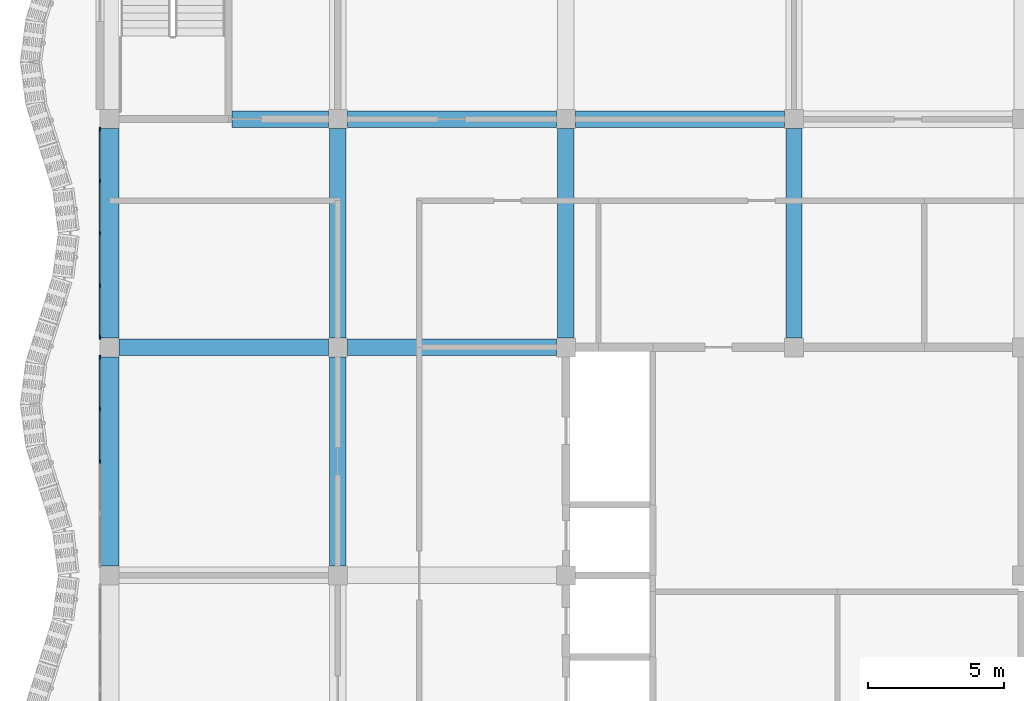
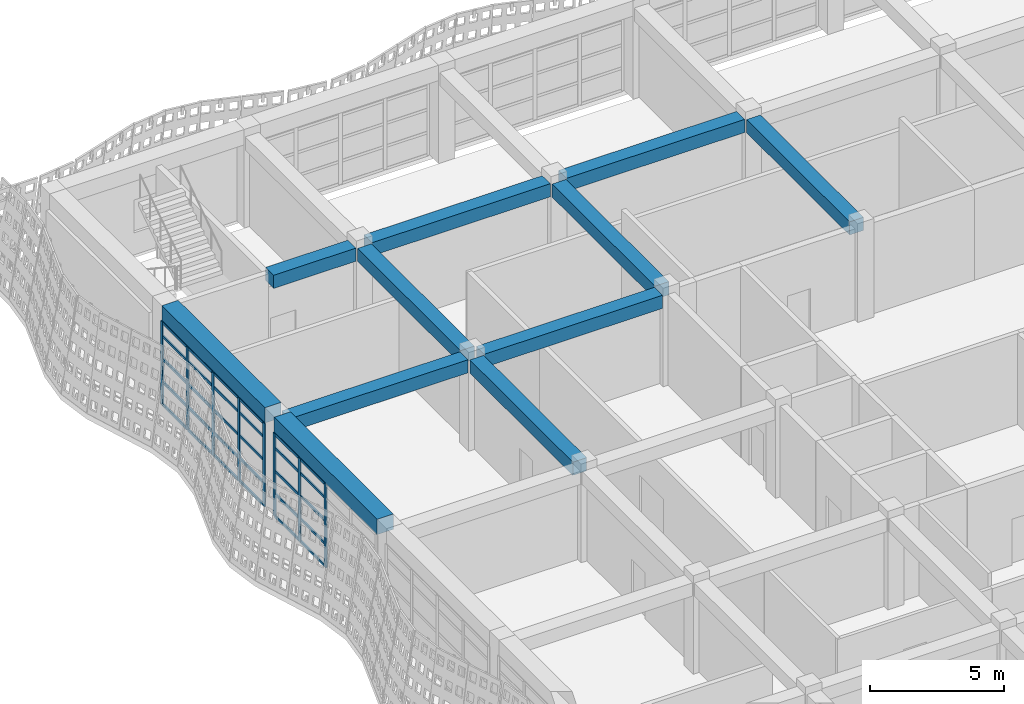
# One storey, part 21 of 162: 38 members, 11 beams, 2 elements without a shape of their own.
"""IFC4 building model written with IfcOpenShell, lengths in metres."""

from ifc_helpers import new_model, si_unit, direction, frame, origin, origin_2d, place, context, subcontext, project, spatial, rectangle, extrude, material, material_profile, profile_set, type_object, element, aggregate, save


model = new_model("IFC4")

# Units and contexts
model_context = context("Model", 3, precision=1e-05, world=origin(), true_north=direction((0.0, 1.0)))
body_context = subcontext(model_context, "Body", "Model", "MODEL_VIEW")
ifc_project = project(units=[si_unit("LENGTHUNIT", "METRE"), si_unit("AREAUNIT", "SQUARE_METRE"), si_unit("VOLUMEUNIT", "CUBIC_METRE"), si_unit("PLANEANGLEUNIT", "RADIAN"), si_unit("MASSUNIT", "GRAM", prefix="KILO")], contexts=[model_context])

# Site, building, storey
site_placement = place(None, origin())
site = spatial("IfcSite", under=ifc_project, at=site_placement, CompositionType="ELEMENT")
building_placement = place(site_placement, origin())
building = spatial("IfcBuilding", under=site, at=building_placement, Name="Rain Tree Exposition and Congress Centre", CompositionType="ELEMENT")
storey_placement = place(building_placement, frame((0.0, 0.0, 6.0)))
storey = spatial("IfcBuildingStorey", under=building, at=storey_placement, Name="L01", CompositionType="ELEMENT", Elevation=6.0)

# Beams
ifc_material_1 = material(Name="Precast concrete C50/60", Category="concrete")
ifc_material_profile_1 = material_profile(ifc_material_1, rectangle(XDim=0.60009765625, YDim=0.60009765625, at=origin_2d()), Name="RC 600x600")
ifc_profile_set_1 = profile_set([ifc_material_profile_1], Name="Precast concrete C50/60")
beam_type_1 = type_object("IfcBeamType", Name="Precast beam 600x600", PredefinedType="BEAM", material=ifc_profile_set_1)
for number, where, z_axis, x_axis, name in (
    (1, (8.39990234375, 25.550048828125, 3.85009765625), (0.0, 1.0, 0.0), (-1.0, 0.0, 0.0), "wing/beam/L01/L02/020"),
    (2, (8.39990234375, 33.949951171875, 3.85009765625), (0.0, 1.0, 0.0), (-1.0, 0.0, 0.0), "wing/beam/L01/L02/022"),
    (3, (16.800048828125, 33.949951171875, 3.85009765625), (0.0, 1.0, 0.0), (-1.0, 0.0, 0.0), "wing/beam/L01/L02/030"),
    (4, (25.199951171875, 33.949951171875, 3.85009765625), (0.0, 1.0, 0.0), (-1.0, 0.0, 0.0), "wing/beam/L01/L02/038"),
    (5, (0.35009765625, 33.60009765625, 3.85009765625), (1.0, 0.0, 0.0), (0.0, 1.0, 0.0), "wing/beam/L01/L02/041"),
    (6, (8.75, 33.60009765625, 3.85009765625), (1.0, 0.0, 0.0), (0.0, 1.0, 0.0), "wing/beam/L01/L02/043"),
):
    element("IfcBeam", number, at=place(storey_placement, frame(where, z_axis=z_axis, x_axis=x_axis)), inside=storey, type_object=beam_type_1, Name=name, PredefinedType="BEAM", context=body_context, shape_type="SweptSolid", body=[
        extrude(rectangle(XDim=0.60009765625, YDim=0.60009765625, at=origin_2d()), origin(), (0.0, 0.0, 1.0), 7.699951171875),
    ])
beam_1_placement = place(storey_placement, frame((4.5, 42.0, 3.85009765625), z_axis=(1.0, 0.0, 0.0), x_axis=(0.0, 1.0, 0.0)))
element("IfcBeam", 7, at=beam_1_placement, inside=storey, type_object=beam_type_1, Name="wing/beam/L01/L02/049", PredefinedType="BEAM", context=body_context, shape_type="SweptSolid", body=[
    extrude(rectangle(XDim=0.60009765625, YDim=0.60009765625, at=origin_2d()), origin(), (0.0, 0.0, 1.0), 3.550048828125),
])
beam_2_placement = place(storey_placement, frame((8.75, 42.0, 3.85009765625), z_axis=(1.0, 0.0, 0.0), x_axis=(0.0, 1.0, 0.0)))
element("IfcBeam", 8, at=beam_2_placement, inside=storey, type_object=beam_type_1, Name="wing/beam/L01/L02/051", PredefinedType="BEAM", context=body_context, shape_type="SweptSolid", body=[
    extrude(rectangle(XDim=0.60009765625, YDim=0.60009765625, at=origin_2d()), origin(), (0.0, 0.0, 1.0), 7.699951171875),
])
beam_3_placement = place(storey_placement, frame((17.14990234375, 42.0, 3.85009765625), z_axis=(1.0, 0.0, 0.0), x_axis=(0.0, 1.0, 0.0)))
element("IfcBeam", 9, at=beam_3_placement, inside=storey, type_object=beam_type_1, Name="wing/beam/L01/L02/053", PredefinedType="BEAM", context=body_context, shape_type="SweptSolid", body=[
    extrude(rectangle(XDim=0.60009765625, YDim=0.60009765625, at=origin_2d()), origin(), (0.0, 0.0, 1.0), 7.7001953125),
])
ifc_material_2 = material(Name="Precast concrete C50/60", Category="concrete")
ifc_material_profile_2 = material_profile(ifc_material_2, rectangle(XDim=0.699951171875, YDim=0.699951171875, at=origin_2d()), Name="RC 700x700")
ifc_profile_set_2 = profile_set([ifc_material_profile_2], Name="Precast concrete C50/60")
beam_type_2 = type_object("IfcBeamType", Name="Precast spandrel beam 700x700", PredefinedType="SPANDREL", material=ifc_profile_set_2)
for number, where, z_axis, x_axis, name in (
    (10, (0.0, 25.550048828125, 4.14990234375), (0.0, 1.0, 0.0), (-1.0, 0.0, 0.0), "wing/beam/L01/L02/008"),
    (11, (0.0, 33.949951171875, 4.14990234375), (0.0, 1.0, 0.0), (-1.0, 0.0, 0.0), "wing/beam/L01/L02/010"),
):
    element("IfcBeam", number, at=place(storey_placement, frame(where, z_axis=z_axis, x_axis=x_axis)), inside=storey, type_object=beam_type_2, Name=name, PredefinedType="SPANDREL", context=body_context, shape_type="SweptSolid", body=[
        extrude(rectangle(XDim=0.699951171875, YDim=0.699951171875, at=origin_2d()), origin(), (0.0, 0.0, 1.0), 7.699951171875),
    ])

# Curtain wall, members
ifc_material_3 = material(Name="Aluminium curtain wall", Category="aluminium")
curtain_wall_type = type_object("IfcCurtainWallType", Name="Wing curtain wall 1925", PredefinedType="NOTDEFINED", material=ifc_material_3)
curtain_wall_1_placement = place(storey_placement, origin())
curtain_wall_1 = element("IfcCurtainWall", 12, at=curtain_wall_1_placement, inside=storey, type_object=curtain_wall_type, Name="Curtain wall CWW210", PredefinedType="NOTDEFINED")
ifc_material_4 = material(Name="Aluminium", Category="aluminium")
ifc_material_profile_3 = material_profile(ifc_material_4, rectangle(XDim=0.06005859375, YDim=0.159912109375, at=origin_2d()), Name="Aluminium 60x160")
ifc_profile_set_3 = profile_set([ifc_material_profile_3], Name="Aluminium")
member_type_1 = type_object("IfcMemberType", Name="Wing mullion 60x160", PredefinedType="MULLION", material=ifc_profile_set_3)
member_1_placement = place(storey_placement, frame((-0.35009765625, 29.39990234375, 0.0), z_axis=(0.0, 0.0, 1.0), x_axis=(-1.0, 0.0, 0.0)))
member_1 = element("IfcMember", 13, at=member_1_placement, type_object=member_type_1, Name="CWW210 mullion 3", PredefinedType="MULLION", context=body_context, shape_type="SweptSolid", body=[
    extrude(rectangle(XDim=0.06005859375, YDim=0.159912109375, at=origin_2d()), origin(), (0.0, 0.0, 1.0), 3.800048828125),
])
member_2_placement = place(storey_placement, frame((-0.35009765625, 31.324951171875, 0.0), z_axis=(0.0, 0.0, 1.0), x_axis=(-1.0, 0.0, 0.0)))
member_2 = element("IfcMember", 14, at=member_2_placement, type_object=member_type_1, Name="CWW210 mullion 4", PredefinedType="MULLION", context=body_context, shape_type="SweptSolid", body=[
    extrude(rectangle(XDim=0.06005859375, YDim=0.159912109375, at=origin_2d()), origin(), (0.0, 0.0, 1.0), 3.800048828125),
])
member_3_placement = place(storey_placement, frame((-0.35009765625, 33.219970703125, 0.0), z_axis=(0.0, 0.0, 1.0), x_axis=(-1.0, 0.0, 0.0)))
member_3 = element("IfcMember", 15, at=member_3_placement, type_object=member_type_1, Name="CWW210 mullion 5", PredefinedType="MULLION", context=body_context, shape_type="SweptSolid", body=[
    extrude(rectangle(XDim=0.06005859375, YDim=0.159912109375, at=origin_2d()), origin(), (0.0, 0.0, 1.0), 3.800048828125),
])

curtain_wall_2_placement = place(storey_placement, origin())
curtain_wall_2 = element("IfcCurtainWall", 16, at=curtain_wall_2_placement, inside=storey, type_object=curtain_wall_type, Name="Curtain wall CWW211", PredefinedType="NOTDEFINED")
member_4_placement = place(storey_placement, frame((-0.35009765625, 33.97998046875, 0.0), z_axis=(0.0, 0.0, 1.0), x_axis=(-1.0, 0.0, 0.0)))
member_4 = element("IfcMember", 17, at=member_4_placement, type_object=member_type_1, Name="CWW211 mullion 1", PredefinedType="MULLION", context=body_context, shape_type="SweptSolid", body=[
    extrude(rectangle(XDim=0.06005859375, YDim=0.159912109375, at=origin_2d()), origin(), (0.0, 0.0, 1.0), 3.800048828125),
])
member_5_placement = place(storey_placement, frame((-0.35009765625, 35.875, 0.0), z_axis=(0.0, 0.0, 1.0), x_axis=(-1.0, 0.0, 0.0)))
member_5 = element("IfcMember", 18, at=member_5_placement, type_object=member_type_1, Name="CWW211 mullion 2", PredefinedType="MULLION", context=body_context, shape_type="SweptSolid", body=[
    extrude(rectangle(XDim=0.06005859375, YDim=0.159912109375, at=origin_2d()), origin(), (0.0, 0.0, 1.0), 3.800048828125),
])
member_6_placement = place(storey_placement, frame((-0.35009765625, 37.800048828125, 0.0), z_axis=(0.0, 0.0, 1.0), x_axis=(-1.0, 0.0, 0.0)))
member_6 = element("IfcMember", 19, at=member_6_placement, type_object=member_type_1, Name="CWW211 mullion 3", PredefinedType="MULLION", context=body_context, shape_type="SweptSolid", body=[
    extrude(rectangle(XDim=0.06005859375, YDim=0.159912109375, at=origin_2d()), origin(), (0.0, 0.0, 1.0), 3.800048828125),
])
member_7_placement = place(storey_placement, frame((-0.35009765625, 39.72509765625, 0.0), z_axis=(0.0, 0.0, 1.0), x_axis=(-1.0, 0.0, 0.0)))
member_7 = element("IfcMember", 20, at=member_7_placement, type_object=member_type_1, Name="CWW211 mullion 4", PredefinedType="MULLION", context=body_context, shape_type="SweptSolid", body=[
    extrude(rectangle(XDim=0.06005859375, YDim=0.159912109375, at=origin_2d()), origin(), (0.0, 0.0, 1.0), 3.800048828125),
])
member_8_placement = place(storey_placement, frame((-0.35009765625, 41.6201171875, 0.0), z_axis=(0.0, 0.0, 1.0), x_axis=(-1.0, 0.0, 0.0)))
member_8 = element("IfcMember", 21, at=member_8_placement, type_object=member_type_1, Name="CWW211 mullion 5", PredefinedType="MULLION", context=body_context, shape_type="SweptSolid", body=[
    extrude(rectangle(XDim=0.06005859375, YDim=0.159912109375, at=origin_2d()), origin(), (0.0, 0.0, 1.0), 3.800048828125),
])

# Member
ifc_material_5 = material(Name="Aluminium", Category="aluminium")
ifc_material_profile_4 = material_profile(ifc_material_5, rectangle(XDim=0.06005859375, YDim=0.1201171875, at=origin_2d()), Name="Aluminium 60x120")
ifc_profile_set_4 = profile_set([ifc_material_profile_4], Name="Aluminium")
member_type_2 = type_object("IfcMemberType", Name="Wing transom 60x120", PredefinedType="USERDEFINED", material=ifc_profile_set_4)
member_9_placement = place(storey_placement, frame((-0.35009765625, 29.429931640625, 0.030029296875), z_axis=(0.0, 1.0, 0.0), x_axis=(-1.0, 0.0, 0.0)))
member_9 = element("IfcMember", 22, at=member_9_placement, type_object=member_type_2, Name="CWW210 transom 3.1", ObjectType="TRANSOM", PredefinedType="USERDEFINED", context=body_context, shape_type="SweptSolid", body=[
    extrude(rectangle(XDim=0.06005859375, YDim=0.1201171875, at=origin_2d()), origin(), (0.0, 0.0, 1.0), 1.864990234375),
])

member_10_placement = place(storey_placement, frame((-0.35009765625, 29.429931640625, 1.050048828125), z_axis=(0.0, 1.0, 0.0), x_axis=(-1.0, 0.0, 0.0)))
member_10 = element("IfcMember", 23, at=member_10_placement, type_object=member_type_2, Name="CWW210 transom 3.2", ObjectType="TRANSOM", PredefinedType="USERDEFINED", context=body_context, shape_type="SweptSolid", body=[
    extrude(rectangle(XDim=0.06005859375, YDim=0.1201171875, at=origin_2d()), origin(), (0.0, 0.0, 1.0), 1.864990234375),
])

member_11_placement = place(storey_placement, frame((-0.35009765625, 29.429931640625, 2.10009765625), z_axis=(0.0, 1.0, 0.0), x_axis=(-1.0, 0.0, 0.0)))
member_11 = element("IfcMember", 24, at=member_11_placement, type_object=member_type_2, Name="CWW210 transom 3.3", ObjectType="TRANSOM", PredefinedType="USERDEFINED", context=body_context, shape_type="SweptSolid", body=[
    extrude(rectangle(XDim=0.06005859375, YDim=0.1201171875, at=origin_2d()), origin(), (0.0, 0.0, 1.0), 1.864990234375),
])

member_12_placement = place(storey_placement, frame((-0.35009765625, 29.429931640625, 3.14990234375), z_axis=(0.0, 1.0, 0.0), x_axis=(-1.0, 0.0, 0.0)))
member_12 = element("IfcMember", 25, at=member_12_placement, type_object=member_type_2, Name="CWW210 transom 3.4", ObjectType="TRANSOM", PredefinedType="USERDEFINED", context=body_context, shape_type="SweptSolid", body=[
    extrude(rectangle(XDim=0.06005859375, YDim=0.1201171875, at=origin_2d()), origin(), (0.0, 0.0, 1.0), 1.864990234375),
])

member_13_placement = place(storey_placement, frame((-0.35009765625, 29.429931640625, 3.77001953125), z_axis=(0.0, 1.0, 0.0), x_axis=(-1.0, 0.0, 0.0)))
member_13 = element("IfcMember", 26, at=member_13_placement, type_object=member_type_2, Name="CWW210 transom 3.5", ObjectType="TRANSOM", PredefinedType="USERDEFINED", context=body_context, shape_type="SweptSolid", body=[
    extrude(rectangle(XDim=0.06005859375, YDim=0.1201171875, at=origin_2d()), origin(), (0.0, 0.0, 1.0), 1.864990234375),
])

member_14_placement = place(storey_placement, frame((-0.35009765625, 31.35498046875, 0.030029296875), z_axis=(0.0, 1.0, 0.0), x_axis=(-1.0, 0.0, 0.0)))
member_14 = element("IfcMember", 27, at=member_14_placement, type_object=member_type_2, Name="CWW210 transom 4.1", ObjectType="TRANSOM", PredefinedType="USERDEFINED", context=body_context, shape_type="SweptSolid", body=[
    extrude(rectangle(XDim=0.06005859375, YDim=0.1201171875, at=origin_2d()), origin(), (0.0, 0.0, 1.0), 1.8349609375),
])

member_15_placement = place(storey_placement, frame((-0.35009765625, 31.35498046875, 1.050048828125), z_axis=(0.0, 1.0, 0.0), x_axis=(-1.0, 0.0, 0.0)))
member_15 = element("IfcMember", 28, at=member_15_placement, type_object=member_type_2, Name="CWW210 transom 4.2", ObjectType="TRANSOM", PredefinedType="USERDEFINED", context=body_context, shape_type="SweptSolid", body=[
    extrude(rectangle(XDim=0.06005859375, YDim=0.1201171875, at=origin_2d()), origin(), (0.0, 0.0, 1.0), 1.8349609375),
])

member_16_placement = place(storey_placement, frame((-0.35009765625, 31.35498046875, 2.10009765625), z_axis=(0.0, 1.0, 0.0), x_axis=(-1.0, 0.0, 0.0)))
member_16 = element("IfcMember", 29, at=member_16_placement, type_object=member_type_2, Name="CWW210 transom 4.3", ObjectType="TRANSOM", PredefinedType="USERDEFINED", context=body_context, shape_type="SweptSolid", body=[
    extrude(rectangle(XDim=0.06005859375, YDim=0.1201171875, at=origin_2d()), origin(), (0.0, 0.0, 1.0), 1.8349609375),
])

member_17_placement = place(storey_placement, frame((-0.35009765625, 31.35498046875, 3.14990234375), z_axis=(0.0, 1.0, 0.0), x_axis=(-1.0, 0.0, 0.0)))
member_17 = element("IfcMember", 30, at=member_17_placement, type_object=member_type_2, Name="CWW210 transom 4.4", ObjectType="TRANSOM", PredefinedType="USERDEFINED", context=body_context, shape_type="SweptSolid", body=[
    extrude(rectangle(XDim=0.06005859375, YDim=0.1201171875, at=origin_2d()), origin(), (0.0, 0.0, 1.0), 1.8349609375),
])

member_18_placement = place(storey_placement, frame((-0.35009765625, 31.35498046875, 3.77001953125), z_axis=(0.0, 1.0, 0.0), x_axis=(-1.0, 0.0, 0.0)))
member_18 = element("IfcMember", 31, at=member_18_placement, type_object=member_type_2, Name="CWW210 transom 4.5", ObjectType="TRANSOM", PredefinedType="USERDEFINED", context=body_context, shape_type="SweptSolid", body=[
    extrude(rectangle(XDim=0.06005859375, YDim=0.1201171875, at=origin_2d()), origin(), (0.0, 0.0, 1.0), 1.8349609375),
])

aggregate(curtain_wall_1, [member_1, member_2, member_3, member_9, member_10, member_11, member_12, member_13, member_14, member_15, member_16, member_17, member_18])

member_19_placement = place(storey_placement, frame((-0.35009765625, 34.010009765625, 0.030029296875), z_axis=(0.0, 1.0, 0.0), x_axis=(-1.0, 0.0, 0.0)))
member_19 = element("IfcMember", 32, at=member_19_placement, type_object=member_type_2, Name="CWW211 transom 1.1", ObjectType="TRANSOM", PredefinedType="USERDEFINED", context=body_context, shape_type="SweptSolid", body=[
    extrude(rectangle(XDim=0.06005859375, YDim=0.1201171875, at=origin_2d()), origin(), (0.0, 0.0, 1.0), 1.8349609375),
])

member_20_placement = place(storey_placement, frame((-0.35009765625, 34.010009765625, 1.050048828125), z_axis=(0.0, 1.0, 0.0), x_axis=(-1.0, 0.0, 0.0)))
member_20 = element("IfcMember", 33, at=member_20_placement, type_object=member_type_2, Name="CWW211 transom 1.2", ObjectType="TRANSOM", PredefinedType="USERDEFINED", context=body_context, shape_type="SweptSolid", body=[
    extrude(rectangle(XDim=0.06005859375, YDim=0.1201171875, at=origin_2d()), origin(), (0.0, 0.0, 1.0), 1.8349609375),
])

member_21_placement = place(storey_placement, frame((-0.35009765625, 34.010009765625, 2.10009765625), z_axis=(0.0, 1.0, 0.0), x_axis=(-1.0, 0.0, 0.0)))
member_21 = element("IfcMember", 34, at=member_21_placement, type_object=member_type_2, Name="CWW211 transom 1.3", ObjectType="TRANSOM", PredefinedType="USERDEFINED", context=body_context, shape_type="SweptSolid", body=[
    extrude(rectangle(XDim=0.06005859375, YDim=0.1201171875, at=origin_2d()), origin(), (0.0, 0.0, 1.0), 1.8349609375),
])

member_22_placement = place(storey_placement, frame((-0.35009765625, 34.010009765625, 3.14990234375), z_axis=(0.0, 1.0, 0.0), x_axis=(-1.0, 0.0, 0.0)))
member_22 = element("IfcMember", 35, at=member_22_placement, type_object=member_type_2, Name="CWW211 transom 1.4", ObjectType="TRANSOM", PredefinedType="USERDEFINED", context=body_context, shape_type="SweptSolid", body=[
    extrude(rectangle(XDim=0.06005859375, YDim=0.1201171875, at=origin_2d()), origin(), (0.0, 0.0, 1.0), 1.8349609375),
])

member_23_placement = place(storey_placement, frame((-0.35009765625, 34.010009765625, 3.77001953125), z_axis=(0.0, 1.0, 0.0), x_axis=(-1.0, 0.0, 0.0)))
member_23 = element("IfcMember", 36, at=member_23_placement, type_object=member_type_2, Name="CWW211 transom 1.5", ObjectType="TRANSOM", PredefinedType="USERDEFINED", context=body_context, shape_type="SweptSolid", body=[
    extrude(rectangle(XDim=0.06005859375, YDim=0.1201171875, at=origin_2d()), origin(), (0.0, 0.0, 1.0), 1.8349609375),
])

member_24_placement = place(storey_placement, frame((-0.35009765625, 35.905029296875, 0.030029296875), z_axis=(0.0, 1.0, 0.0), x_axis=(-1.0, 0.0, 0.0)))
member_24 = element("IfcMember", 37, at=member_24_placement, type_object=member_type_2, Name="CWW211 transom 2.1", ObjectType="TRANSOM", PredefinedType="USERDEFINED", context=body_context, shape_type="SweptSolid", body=[
    extrude(rectangle(XDim=0.06005859375, YDim=0.1201171875, at=origin_2d()), origin(), (0.0, 0.0, 1.0), 1.864990234375),
])

member_25_placement = place(storey_placement, frame((-0.35009765625, 35.905029296875, 1.050048828125), z_axis=(0.0, 1.0, 0.0), x_axis=(-1.0, 0.0, 0.0)))
member_25 = element("IfcMember", 38, at=member_25_placement, type_object=member_type_2, Name="CWW211 transom 2.2", ObjectType="TRANSOM", PredefinedType="USERDEFINED", context=body_context, shape_type="SweptSolid", body=[
    extrude(rectangle(XDim=0.06005859375, YDim=0.1201171875, at=origin_2d()), origin(), (0.0, 0.0, 1.0), 1.864990234375),
])

member_26_placement = place(storey_placement, frame((-0.35009765625, 35.905029296875, 2.10009765625), z_axis=(0.0, 1.0, 0.0), x_axis=(-1.0, 0.0, 0.0)))
member_26 = element("IfcMember", 39, at=member_26_placement, type_object=member_type_2, Name="CWW211 transom 2.3", ObjectType="TRANSOM", PredefinedType="USERDEFINED", context=body_context, shape_type="SweptSolid", body=[
    extrude(rectangle(XDim=0.06005859375, YDim=0.1201171875, at=origin_2d()), origin(), (0.0, 0.0, 1.0), 1.864990234375),
])

member_27_placement = place(storey_placement, frame((-0.35009765625, 35.905029296875, 3.14990234375), z_axis=(0.0, 1.0, 0.0), x_axis=(-1.0, 0.0, 0.0)))
member_27 = element("IfcMember", 40, at=member_27_placement, type_object=member_type_2, Name="CWW211 transom 2.4", ObjectType="TRANSOM", PredefinedType="USERDEFINED", context=body_context, shape_type="SweptSolid", body=[
    extrude(rectangle(XDim=0.06005859375, YDim=0.1201171875, at=origin_2d()), origin(), (0.0, 0.0, 1.0), 1.864990234375),
])

member_28_placement = place(storey_placement, frame((-0.35009765625, 35.905029296875, 3.77001953125), z_axis=(0.0, 1.0, 0.0), x_axis=(-1.0, 0.0, 0.0)))
member_28 = element("IfcMember", 41, at=member_28_placement, type_object=member_type_2, Name="CWW211 transom 2.5", ObjectType="TRANSOM", PredefinedType="USERDEFINED", context=body_context, shape_type="SweptSolid", body=[
    extrude(rectangle(XDim=0.06005859375, YDim=0.1201171875, at=origin_2d()), origin(), (0.0, 0.0, 1.0), 1.864990234375),
])

member_29_placement = place(storey_placement, frame((-0.35009765625, 37.830078125, 0.030029296875), z_axis=(0.0, 1.0, 0.0), x_axis=(-1.0, 0.0, 0.0)))
member_29 = element("IfcMember", 42, at=member_29_placement, type_object=member_type_2, Name="CWW211 transom 3.1", ObjectType="TRANSOM", PredefinedType="USERDEFINED", context=body_context, shape_type="SweptSolid", body=[
    extrude(rectangle(XDim=0.06005859375, YDim=0.1201171875, at=origin_2d()), origin(), (0.0, 0.0, 1.0), 1.864990234375),
])

member_30_placement = place(storey_placement, frame((-0.35009765625, 37.830078125, 1.050048828125), z_axis=(0.0, 1.0, 0.0), x_axis=(-1.0, 0.0, 0.0)))
member_30 = element("IfcMember", 43, at=member_30_placement, type_object=member_type_2, Name="CWW211 transom 3.2", ObjectType="TRANSOM", PredefinedType="USERDEFINED", context=body_context, shape_type="SweptSolid", body=[
    extrude(rectangle(XDim=0.06005859375, YDim=0.1201171875, at=origin_2d()), origin(), (0.0, 0.0, 1.0), 1.864990234375),
])

member_31_placement = place(storey_placement, frame((-0.35009765625, 37.830078125, 2.10009765625), z_axis=(0.0, 1.0, 0.0), x_axis=(-1.0, 0.0, 0.0)))
member_31 = element("IfcMember", 44, at=member_31_placement, type_object=member_type_2, Name="CWW211 transom 3.3", ObjectType="TRANSOM", PredefinedType="USERDEFINED", context=body_context, shape_type="SweptSolid", body=[
    extrude(rectangle(XDim=0.06005859375, YDim=0.1201171875, at=origin_2d()), origin(), (0.0, 0.0, 1.0), 1.864990234375),
])

member_32_placement = place(storey_placement, frame((-0.35009765625, 37.830078125, 3.14990234375), z_axis=(0.0, 1.0, 0.0), x_axis=(-1.0, 0.0, 0.0)))
member_32 = element("IfcMember", 45, at=member_32_placement, type_object=member_type_2, Name="CWW211 transom 3.4", ObjectType="TRANSOM", PredefinedType="USERDEFINED", context=body_context, shape_type="SweptSolid", body=[
    extrude(rectangle(XDim=0.06005859375, YDim=0.1201171875, at=origin_2d()), origin(), (0.0, 0.0, 1.0), 1.864990234375),
])

member_33_placement = place(storey_placement, frame((-0.35009765625, 37.830078125, 3.77001953125), z_axis=(0.0, 1.0, 0.0), x_axis=(-1.0, 0.0, 0.0)))
member_33 = element("IfcMember", 46, at=member_33_placement, type_object=member_type_2, Name="CWW211 transom 3.5", ObjectType="TRANSOM", PredefinedType="USERDEFINED", context=body_context, shape_type="SweptSolid", body=[
    extrude(rectangle(XDim=0.06005859375, YDim=0.1201171875, at=origin_2d()), origin(), (0.0, 0.0, 1.0), 1.864990234375),
])

member_34_placement = place(storey_placement, frame((-0.35009765625, 39.7548828125, 0.030029296875), z_axis=(0.0, 1.0, 0.0), x_axis=(-1.0, 0.0, 0.0)))
member_34 = element("IfcMember", 47, at=member_34_placement, type_object=member_type_2, Name="CWW211 transom 4.1", ObjectType="TRANSOM", PredefinedType="USERDEFINED", context=body_context, shape_type="SweptSolid", body=[
    extrude(rectangle(XDim=0.06005859375, YDim=0.1201171875, at=origin_2d()), origin(), (0.0, 0.0, 1.0), 1.835205078125),
])

member_35_placement = place(storey_placement, frame((-0.35009765625, 39.7548828125, 1.050048828125), z_axis=(0.0, 1.0, 0.0), x_axis=(-1.0, 0.0, 0.0)))
member_35 = element("IfcMember", 48, at=member_35_placement, type_object=member_type_2, Name="CWW211 transom 4.2", ObjectType="TRANSOM", PredefinedType="USERDEFINED", context=body_context, shape_type="SweptSolid", body=[
    extrude(rectangle(XDim=0.06005859375, YDim=0.1201171875, at=origin_2d()), origin(), (0.0, 0.0, 1.0), 1.835205078125),
])

member_36_placement = place(storey_placement, frame((-0.35009765625, 39.7548828125, 2.10009765625), z_axis=(0.0, 1.0, 0.0), x_axis=(-1.0, 0.0, 0.0)))
member_36 = element("IfcMember", 49, at=member_36_placement, type_object=member_type_2, Name="CWW211 transom 4.3", ObjectType="TRANSOM", PredefinedType="USERDEFINED", context=body_context, shape_type="SweptSolid", body=[
    extrude(rectangle(XDim=0.06005859375, YDim=0.1201171875, at=origin_2d()), origin(), (0.0, 0.0, 1.0), 1.835205078125),
])

member_37_placement = place(storey_placement, frame((-0.35009765625, 39.7548828125, 3.14990234375), z_axis=(0.0, 1.0, 0.0), x_axis=(-1.0, 0.0, 0.0)))
member_37 = element("IfcMember", 50, at=member_37_placement, type_object=member_type_2, Name="CWW211 transom 4.4", ObjectType="TRANSOM", PredefinedType="USERDEFINED", context=body_context, shape_type="SweptSolid", body=[
    extrude(rectangle(XDim=0.06005859375, YDim=0.1201171875, at=origin_2d()), origin(), (0.0, 0.0, 1.0), 1.835205078125),
])

member_38_placement = place(storey_placement, frame((-0.35009765625, 39.7548828125, 3.77001953125), z_axis=(0.0, 1.0, 0.0), x_axis=(-1.0, 0.0, 0.0)))
member_38 = element("IfcMember", 51, at=member_38_placement, type_object=member_type_2, Name="CWW211 transom 4.5", ObjectType="TRANSOM", PredefinedType="USERDEFINED", context=body_context, shape_type="SweptSolid", body=[
    extrude(rectangle(XDim=0.06005859375, YDim=0.1201171875, at=origin_2d()), origin(), (0.0, 0.0, 1.0), 1.835205078125),
])

aggregate(curtain_wall_2, [member_4, member_5, member_6, member_7, member_8, member_19, member_20, member_21, member_22, member_23, member_24, member_25, member_26, member_27, member_28, member_29, member_30, member_31, member_32, member_33, member_34, member_35, member_36, member_37, member_38])

save(model, "model.ifc")
